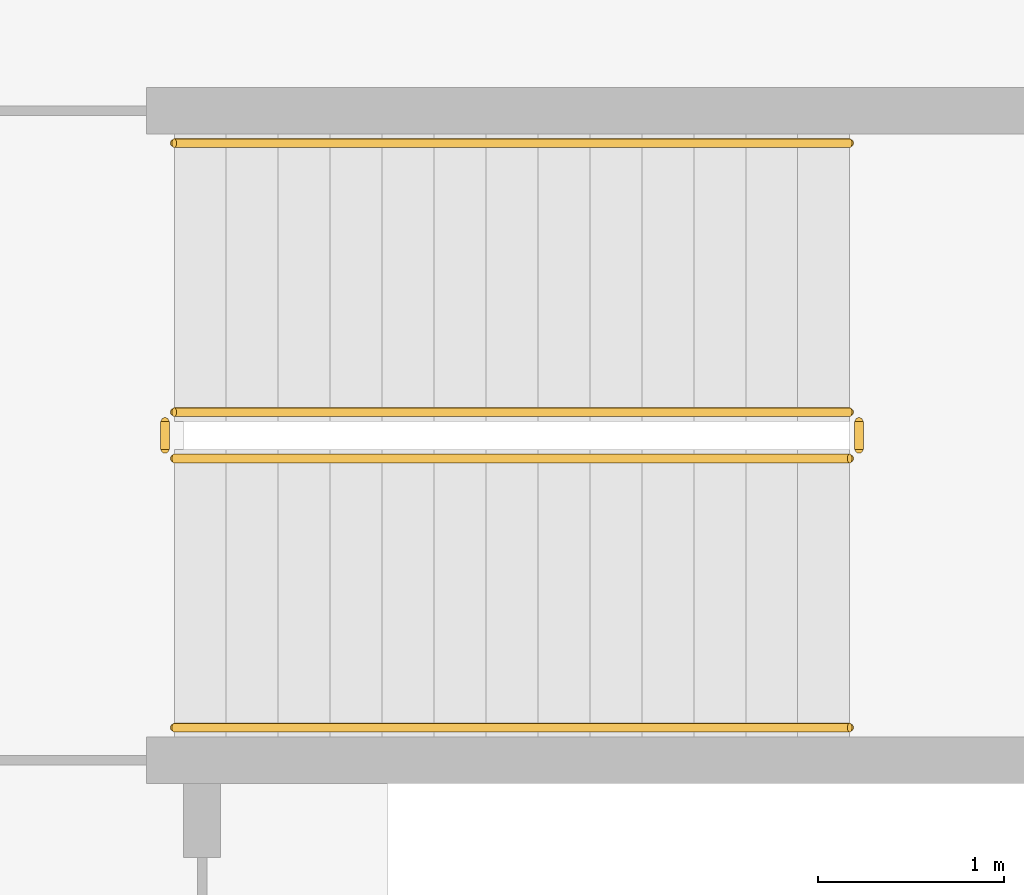
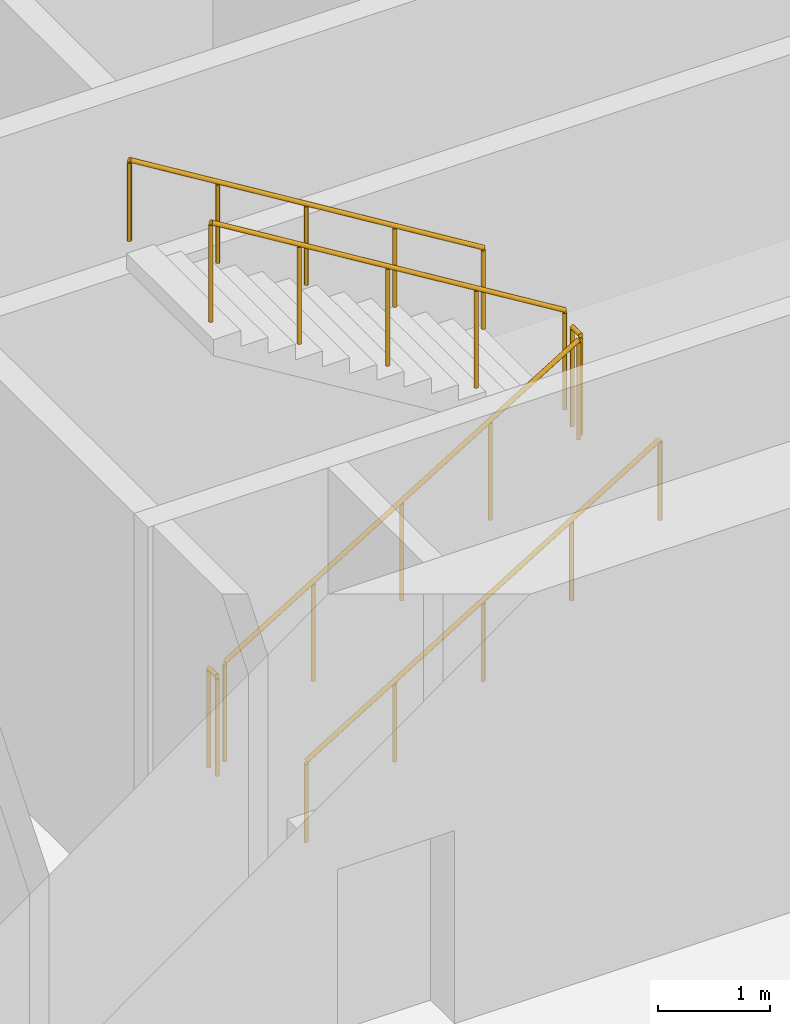
# One storey, part 19 of 27: 6 railings.
"""IFC4 building model written with IfcOpenShell, lengths in metres."""

from ifc_helpers import new_model, si_unit, direction, frame, origin, origin_2d, place, context, subcontext, project, spatial, circle, extrude, material, type_object, element, save


model = new_model("IFC4")

# Units and contexts
model_context = context("Model", 3, precision=1e-05, world=origin(), true_north=direction((0.0, 1.0)))
body_context = subcontext(model_context, "Body", "Model", "MODEL_VIEW")
ifc_project = project(units=[si_unit("LENGTHUNIT", "METRE"), si_unit("AREAUNIT", "SQUARE_METRE"), si_unit("VOLUMEUNIT", "CUBIC_METRE"), si_unit("PLANEANGLEUNIT", "RADIAN"), si_unit("MASSUNIT", "GRAM", prefix="KILO")], contexts=[model_context])

# Site, building, storey
site_placement = place(None, origin())
site = spatial("IfcSite", under=ifc_project, at=site_placement, CompositionType="ELEMENT")
building_placement = place(site_placement, origin())
building = spatial("IfcBuilding", under=site, at=building_placement, Name="Dhurran Vertical Campus", CompositionType="ELEMENT")
storey_placement = place(building_placement, frame((0.0, 0.0, 10.800048828125)))
storey = spatial("IfcBuildingStorey", under=building, at=storey_placement, Name="L02", CompositionType="ELEMENT", Elevation=10.800048828125)

# Railings
ifc_material_1 = material(Name="Stainless steel balustrade", Category="steel")
railing_type_1 = type_object("IfcRailingType", Name="co-RL-GUARD-1100", PredefinedType="GUARDRAIL", material=ifc_material_1)
railing_1_placement = place(storey_placement, frame((-11.10009765625, -9.14990234375, 0.17138671875)))
element("IfcRailing", 1, at=railing_1_placement, inside=storey, type_object=railing_type_1, Name="L02 ST3 stair guard 1", PredefinedType="GUARDRAIL", context=body_context, shape_type="SweptSolid", body=[
    extrude(circle(Radius=0.02392578125, at=origin_2d()), frame((0.0, 0.0, 1.076171875), z_axis=(0.852865859571, 0.0, 0.52213008492), x_axis=(0.0, 1.0, 0.0)), (0.0, 0.0, 1.0), 4.26806640625),
    extrude(circle(Radius=0.02099609375, at=origin_2d()), origin(), (0.0, 0.0, 1.0), 1.052001953125),
    extrude(circle(Radius=0.02099609375, at=origin_2d()), frame((0.91015625, 0.0, 0.55712890625)), (0.0, 0.0, 1.0), 1.052001953125),
    extrude(circle(Radius=0.02099609375, at=origin_2d()), frame((1.820068359375, 0.0, 1.1142578125)), (0.0, 0.0, 1.0), 1.052001953125),
    extrude(circle(Radius=0.02099609375, at=origin_2d()), frame((2.72998046875, 0.0, 1.67138671875)), (0.0, 0.0, 1.0), 1.052001953125),
    extrude(circle(Radius=0.02099609375, at=origin_2d()), frame((3.64013671875, 0.0, 2.228515625)), (0.0, 0.0, 1.0), 1.052001953125),
])
railing_2_placement = place(storey_placement, frame((-7.409912109375, -9.10009765625, 2.39990234375)))
element("IfcRailing", 2, at=railing_2_placement, inside=storey, type_object=railing_type_1, Name="L02 ST3 stair guard 2", PredefinedType="GUARDRAIL", context=body_context, shape_type="SweptSolid", body=[
    extrude(circle(Radius=0.02392578125, at=origin_2d()), frame((0.0, 0.0, 1.076171875), z_axis=(0.0, 1.0, 0.0), x_axis=(-1.0, 0.0, 0.0)), (0.0, 0.0, 1.0), 0.150146484375),
    extrude(circle(Radius=0.02099609375, at=origin_2d()), origin(), (0.0, 0.0, 1.0), 1.052001953125),
    extrude(circle(Radius=0.02099609375, at=origin_2d()), frame((0.0, 0.150146484375, 0.0)), (0.0, 0.0, 1.0), 1.052001953125),
])
railing_3_placement = place(storey_placement, frame((-7.4599609375, -8.89990234375, 2.5712890625)))
element("IfcRailing", 3, at=railing_3_placement, inside=storey, type_object=railing_type_1, Name="L02 ST3 stair guard 3", PredefinedType="GUARDRAIL", context=body_context, shape_type="SweptSolid", body=[
    extrude(circle(Radius=0.02392578125, at=origin_2d()), frame((0.0, 0.0, 1.076171875), z_axis=(-0.852840387347, 0.0, 0.522171689878), x_axis=(0.0, -1.0, 0.0)), (0.0, 0.0, 1.0), 4.268310546875),
    extrude(circle(Radius=0.02099609375, at=origin_2d()), origin(), (0.0, 0.0, 1.0), 1.052001953125),
    extrude(circle(Radius=0.02099609375, at=origin_2d()), frame((-0.91015625, 0.0, 0.55712890625)), (0.0, 0.0, 1.0), 1.052001953125),
    extrude(circle(Radius=0.02099609375, at=origin_2d()), frame((-1.820068359375, 0.0, 1.1142578125)), (0.0, 0.0, 1.0), 1.052001953125),
    extrude(circle(Radius=0.02099609375, at=origin_2d()), frame((-2.72998046875, 0.0, 1.671630859375)), (0.0, 0.0, 1.0), 1.052001953125),
    extrude(circle(Radius=0.02099609375, at=origin_2d()), frame((-3.64013671875, 0.0, 2.228759765625)), (0.0, 0.0, 1.0), 1.052001953125),
])
railing_4_placement = place(storey_placement, frame((-11.14990234375, -9.10009765625, 0.0)))
element("IfcRailing", 4, at=railing_4_placement, inside=storey, type_object=railing_type_1, Name="L02 ST3 stair guard 4", PredefinedType="GUARDRAIL", context=body_context, shape_type="SweptSolid", body=[
    extrude(circle(Radius=0.02392578125, at=origin_2d()), frame((0.0, 0.0, 1.076171875), z_axis=(0.0, 1.0, 0.0), x_axis=(-1.0, 0.0, 0.0)), (0.0, 0.0, 1.0), 0.150146484375),
    extrude(circle(Radius=0.02099609375, at=origin_2d()), origin(), (0.0, 0.0, 1.0), 1.052001953125),
    extrude(circle(Radius=0.02099609375, at=origin_2d()), frame((0.0, 0.150146484375, 0.0)), (0.0, 0.0, 1.0), 1.052001953125),
])
ifc_material_2 = material(Name="Stainless steel handrail", Category="steel")
railing_type_2 = type_object("IfcRailingType", Name="co-RL-HANDRAIL-900", PredefinedType="HANDRAIL", material=ifc_material_2)
railing_5_placement = place(storey_placement, frame((-11.10009765625, -10.60009765625, 0.17138671875)))
element("IfcRailing", 5, at=railing_5_placement, inside=storey, type_object=railing_type_2, Name="L02 ST3 stair handrail 1", PredefinedType="HANDRAIL", context=body_context, shape_type="SweptSolid", body=[
    extrude(circle(Radius=0.02392578125, at=origin_2d()), frame((0.0, 0.0, 0.8759765625), z_axis=(0.852865859571, 0.0, 0.52213008492), x_axis=(0.0, 1.0, 0.0)), (0.0, 0.0, 1.0), 4.26806640625),
    extrude(circle(Radius=0.02099609375, at=origin_2d()), origin(), (0.0, 0.0, 1.0), 0.851806640625),
    extrude(circle(Radius=0.02099609375, at=origin_2d()), frame((0.91015625, 0.0, 0.55712890625)), (0.0, 0.0, 1.0), 0.851806640625),
    extrude(circle(Radius=0.02099609375, at=origin_2d()), frame((1.820068359375, 0.0, 1.1142578125)), (0.0, 0.0, 1.0), 0.851806640625),
    extrude(circle(Radius=0.02099609375, at=origin_2d()), frame((2.72998046875, 0.0, 1.67138671875)), (0.0, 0.0, 1.0), 0.851806640625),
    extrude(circle(Radius=0.02099609375, at=origin_2d()), frame((3.64013671875, 0.0, 2.228515625)), (0.0, 0.0, 1.0), 0.851806640625),
])
railing_6_placement = place(storey_placement, frame((-7.4599609375, -7.449951171875, 2.5712890625)))
element("IfcRailing", 6, at=railing_6_placement, inside=storey, type_object=railing_type_2, Name="L02 ST3 stair handrail 2", PredefinedType="HANDRAIL", context=body_context, shape_type="SweptSolid", body=[
    extrude(circle(Radius=0.02392578125, at=origin_2d()), frame((0.0, 0.0, 0.8759765625), z_axis=(-0.852840387347, 0.0, 0.522171689878), x_axis=(0.0, -1.0, 0.0)), (0.0, 0.0, 1.0), 4.268310546875),
    extrude(circle(Radius=0.02099609375, at=origin_2d()), origin(), (0.0, 0.0, 1.0), 0.851806640625),
    extrude(circle(Radius=0.02099609375, at=origin_2d()), frame((-0.91015625, 0.0, 0.55712890625)), (0.0, 0.0, 1.0), 0.851806640625),
    extrude(circle(Radius=0.02099609375, at=origin_2d()), frame((-1.820068359375, 0.0, 1.1142578125)), (0.0, 0.0, 1.0), 0.851806640625),
    extrude(circle(Radius=0.02099609375, at=origin_2d()), frame((-2.72998046875, 0.0, 1.671630859375)), (0.0, 0.0, 1.0), 0.851806640625),
    extrude(circle(Radius=0.02099609375, at=origin_2d()), frame((-3.64013671875, 0.0, 2.228759765625)), (0.0, 0.0, 1.0), 0.851806640625),
])

save(model, "model.ifc")
